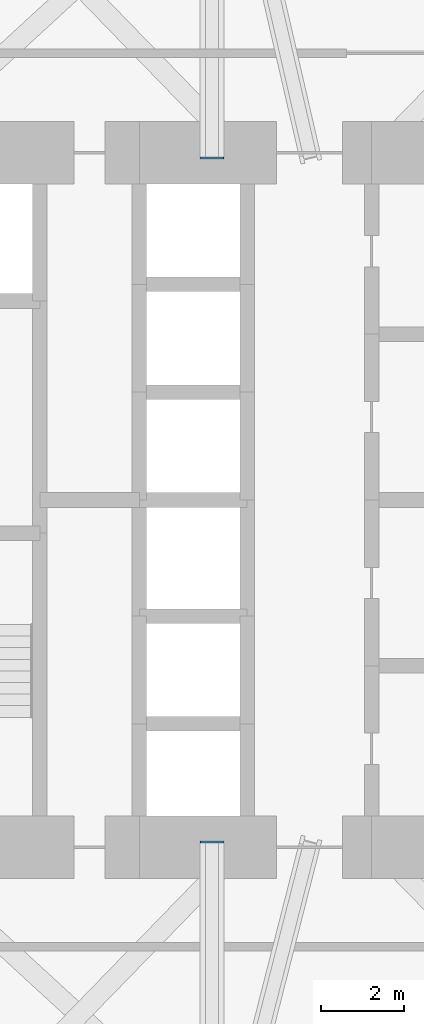
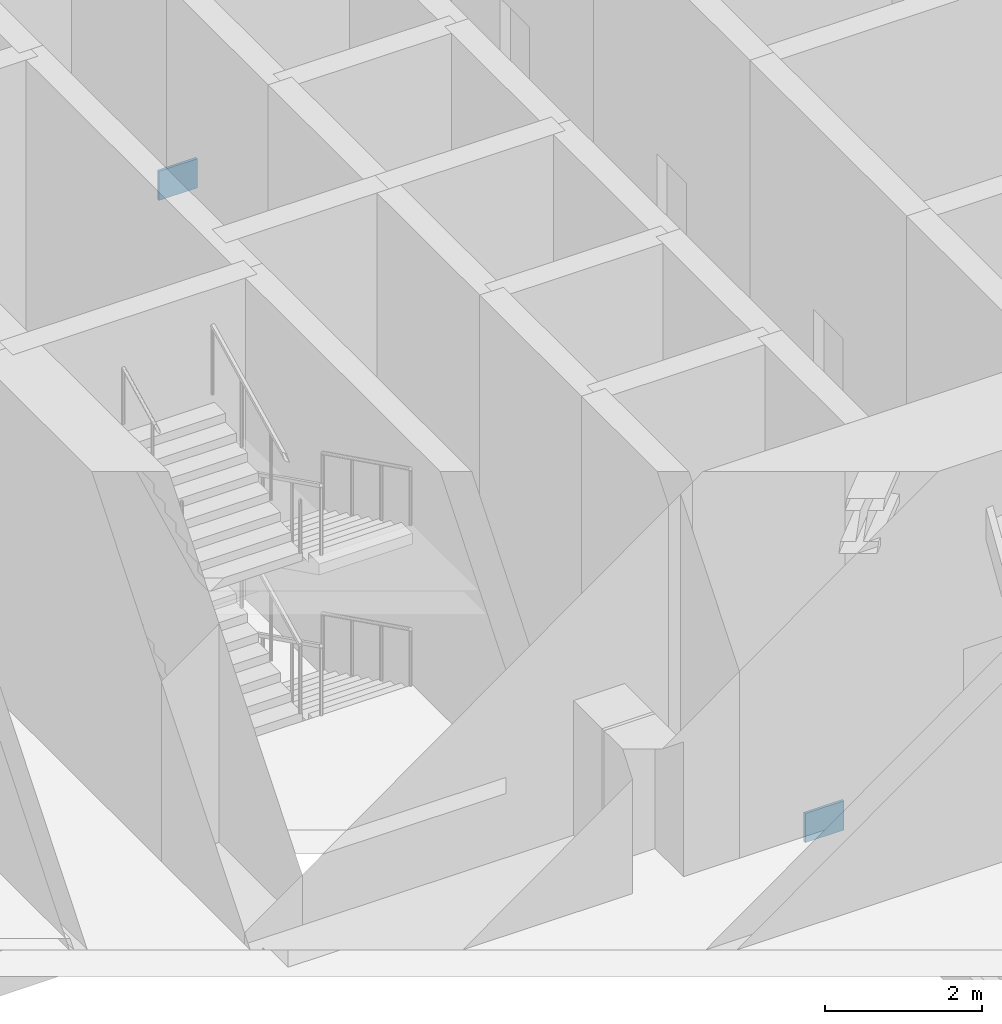
# One storey, part 9 of 11: 2 discrete accessories.
"""IFC4 building model written with IfcOpenShell, lengths in metres."""

from ifc_helpers import new_model, si_unit, direction, frame, origin, origin_2d, place, context, subcontext, project, spatial, rectangle, extrude, material, material_profile, profile_set, type_object, element, save


model = new_model("IFC4")

# Units and contexts
model_context = context("Model", 3, precision=1e-05, world=origin(), true_north=direction((0.0, 1.0)))
body_context = subcontext(model_context, "Body", "Model", "MODEL_VIEW")
ifc_project = project(units=[si_unit("LENGTHUNIT", "METRE"), si_unit("AREAUNIT", "SQUARE_METRE"), si_unit("VOLUMEUNIT", "CUBIC_METRE"), si_unit("PLANEANGLEUNIT", "RADIAN"), si_unit("MASSUNIT", "GRAM", prefix="KILO")], contexts=[model_context])

# Site, building, storey
site_placement = place(None, origin())
site = spatial("IfcSite", under=ifc_project, at=site_placement, CompositionType="ELEMENT")
building_placement = place(site_placement, origin())
building = spatial("IfcBuilding", under=site, at=building_placement, Name="Jalousie Tower", CompositionType="ELEMENT")
storey_placement = place(building_placement, frame((0.0, 0.0, 144.35009765625)))
storey = spatial("IfcBuildingStorey", under=building, at=storey_placement, Name="L39", CompositionType="ELEMENT", Elevation=144.35009765625)

# Discrete accessories
ifc_material = material(Name="Steel ASTM A572 Grade 50 plate", Category="steel")
ifc_material_profile = material_profile(ifc_material, rectangle(XDim=0.45458984375, YDim=0.569091796875, at=origin_2d()), Name="BRACE END PLATE 455x569x40")
ifc_profile_set = profile_set([ifc_material_profile], Name="Steel ASTM A572 Grade 50 plate")
discrete_accessory_type = type_object("IfcDiscreteAccessoryType", Name="BRACE END PLATE 455x569x40", PredefinedType="USERDEFINED", material=ifc_profile_set)
for number, where, z_axis, x_axis, name in (
    (1, (27.75, 10.22998046875, -0.564697265625), (0.0, 1.0, 0.0), (0.0, 0.0, 1.0), "Outrigger T2 S03 chord L39 end plate 2"),
    (2, (27.75, 26.77001953125, -0.564697265625), (0.0, -1.0, 0.0), (0.0, 0.0, 1.0), "Outrigger T2 N10 chord L39 end plate 2"),
):
    element("IfcDiscreteAccessory", number, at=place(storey_placement, frame(where, z_axis=z_axis, x_axis=x_axis)), inside=storey, type_object=discrete_accessory_type, Name=name, ObjectType="STRUT END PLATE", PredefinedType="USERDEFINED", context=body_context, shape_type="SweptSolid", body=[
        extrude(rectangle(XDim=0.45458984375, YDim=0.569091796875, at=origin_2d()), origin(), (0.0, 0.0, 1.0), 0.0400390625),
    ])

save(model, "model.ifc")
